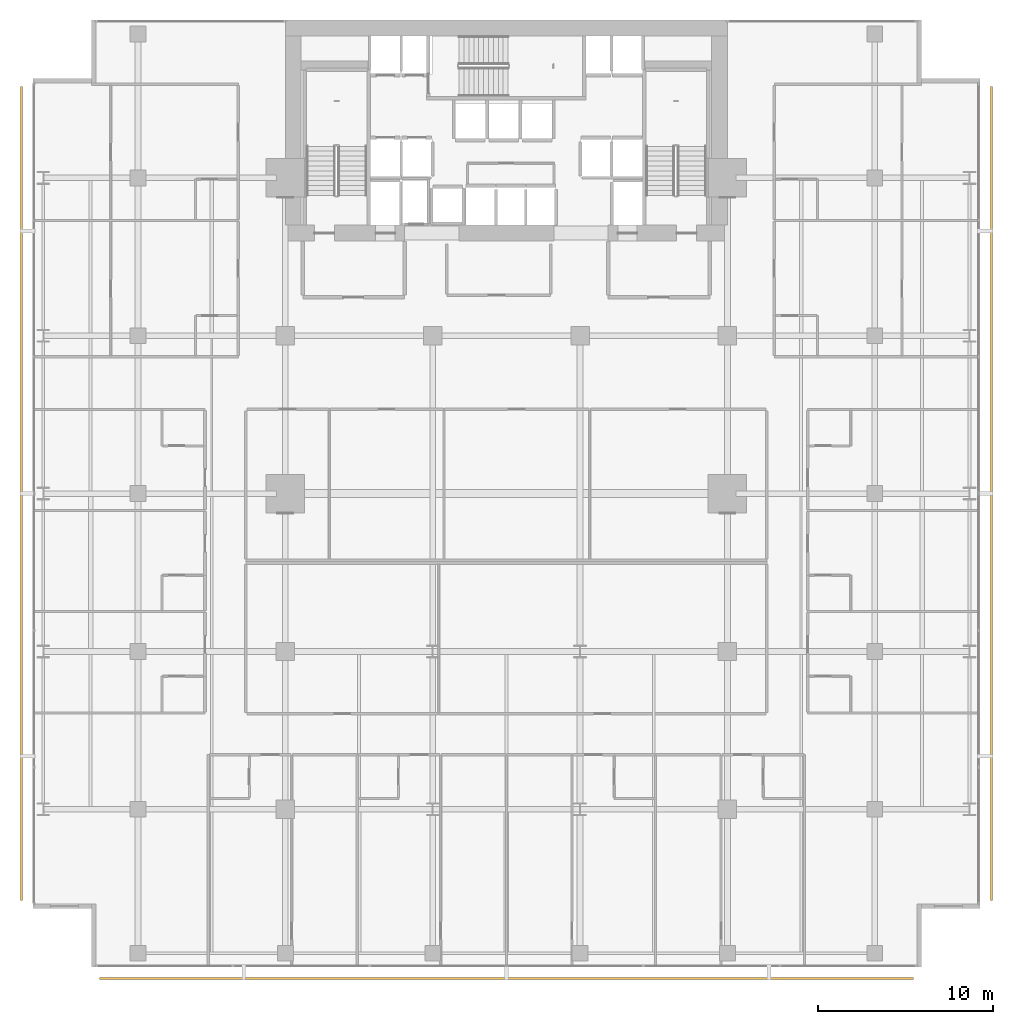
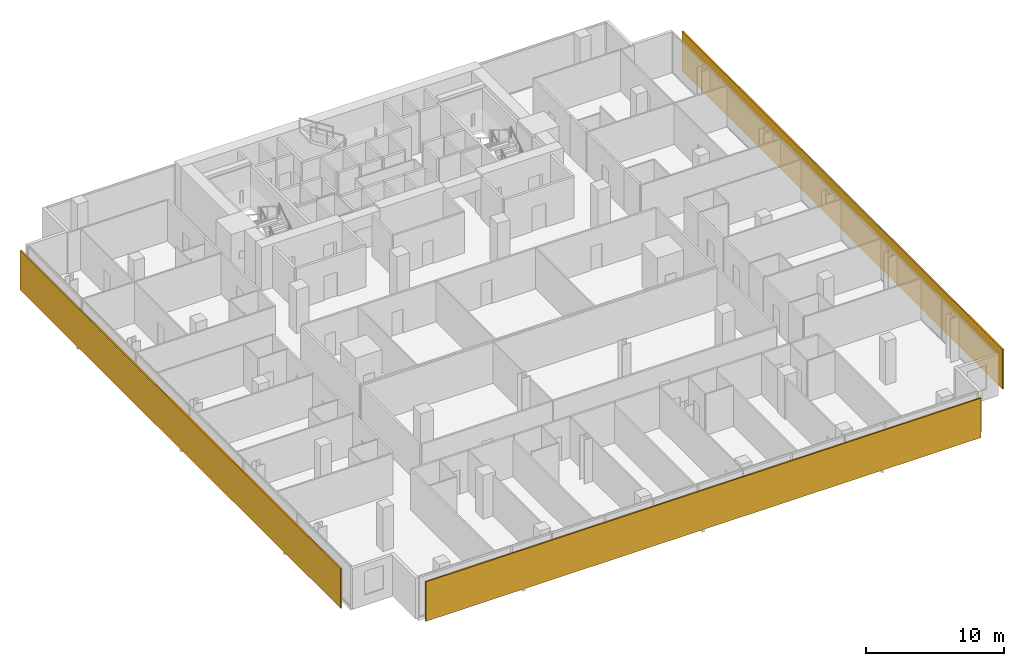
# One storey, part 39 of 40: 3 shading devices.
"""IFC4 building model written with IfcOpenShell, lengths in metres."""

from ifc_helpers import new_model, si_unit, direction, frame, origin, origin_2d, place, context, subcontext, project, spatial, rectangle, extrude, material, layer, layer_set, type_object, element, save


model = new_model("IFC4")

# Units and contexts
model_context = context("Model", 3, precision=1e-05, world=origin(), true_north=direction((0.0, 1.0)))
body_context = subcontext(model_context, "Body", "Model", "MODEL_VIEW")
ifc_project = project(units=[si_unit("LENGTHUNIT", "METRE"), si_unit("AREAUNIT", "SQUARE_METRE"), si_unit("VOLUMEUNIT", "CUBIC_METRE"), si_unit("PLANEANGLEUNIT", "RADIAN"), si_unit("MASSUNIT", "GRAM", prefix="KILO")], contexts=[model_context])

# Site, building, storey
site_placement = place(None, origin())
site = spatial("IfcSite", under=ifc_project, at=site_placement, CompositionType="ELEMENT")
building_placement = place(site_placement, origin())
building = spatial("IfcBuilding", under=site, at=building_placement, Name="Maruvema Waterfront Hotel and Observation Tower", CompositionType="ELEMENT")
storey_placement = place(building_placement, frame((0.0, 0.0, 88.550048828125)))
storey = spatial("IfcBuildingStorey", under=building, at=storey_placement, Name="L21", CompositionType="ELEMENT", Elevation=88.550048828125)

# Shading devices
ifc_material = material(Name="Honed travertine stone and anodised architectural bronze", Category="masonry")
ifc_layer = layer(ifc_material, 0.1201171875, Name="Ventilated Outer Skin Cobogo Stone-and-Bronze Screen 120 mm")
ifc_layer_set = layer_set([ifc_layer], Name="Honed travertine stone and anodised architectural bronze")
shading_device_type = type_object("IfcShadingDeviceType", Name="Ventilated Outer Skin Cobogo Stone-and-Bronze Screen 120 mm", PredefinedType="USERDEFINED", material=ifc_layer_set)
for number, where, z_axis, x_axis, name in (
    (1, (37.800048828125, -0.64990234375, 0.06005859375), (0.0, 0.0, 1.0), (1.0, 0.0, 0.0), "L21 Ventilated Double-Skin Outer Cobogo Screen OS-L21-S"),
    (2, (65.449951171875, 27.0, 0.06005859375), (0.0, 0.0, 1.0), (0.0, 1.0, 0.0), "L21 Ventilated Double-Skin Outer Cobogo Screen OS-L21-E"),
    (3, (10.14990234375, 27.0, 0.06005859375), (0.0, 0.0, 1.0), (0.0, -1.0, 0.0), "L21 Ventilated Double-Skin Outer Cobogo Screen OS-L21-W"),
):
    element("IfcShadingDevice", number, at=place(storey_placement, frame(where, z_axis=z_axis, x_axis=x_axis)), inside=storey, type_object=shading_device_type, Name=name, ObjectType="OUTER SKIN SCREEN", PredefinedType="USERDEFINED", context=body_context, shape_type="SweptSolid", body=[
        extrude(rectangle(XDim=46.39990234375, YDim=0.1201171875, at=origin_2d()), origin(), (0.0, 0.0, 1.0), 3.489990234375),
    ])

save(model, "model.ifc")
